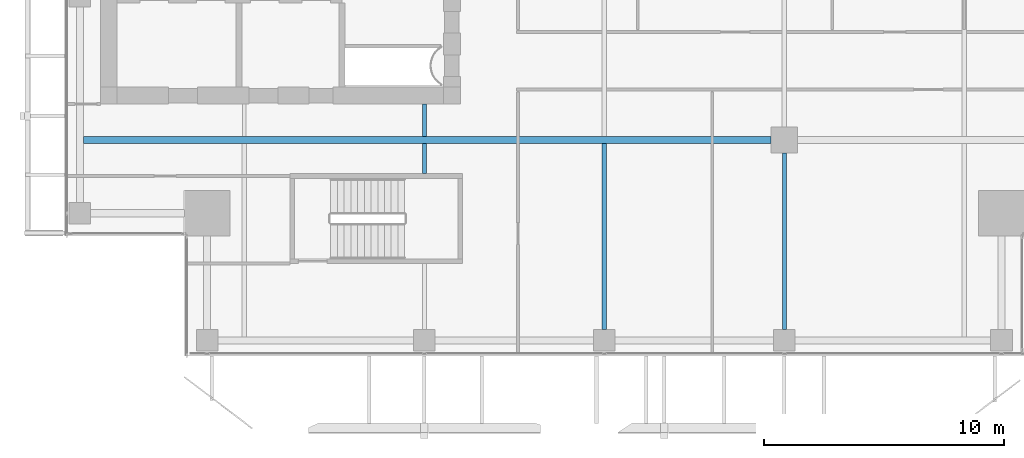
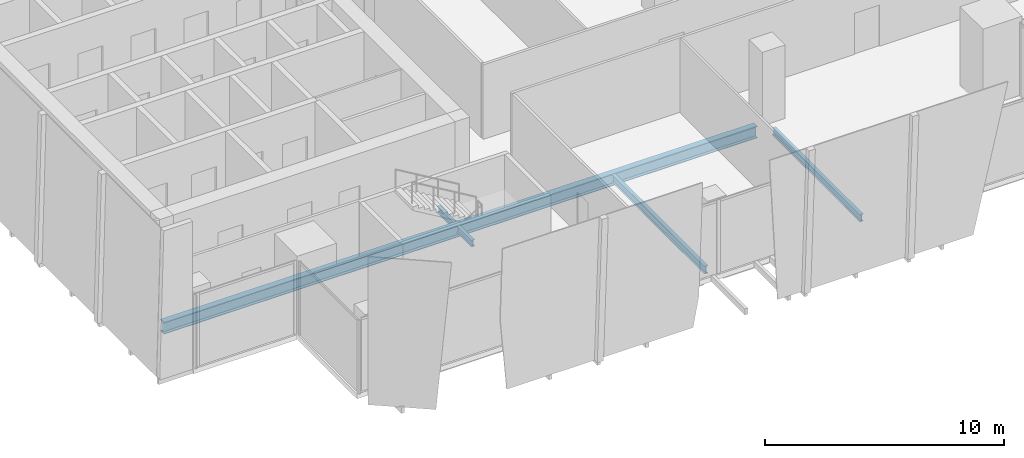
# One storey, part 5 of 35: 5 beams.
"""IFC4 building model written with IfcOpenShell, lengths in metres."""

from ifc_helpers import new_model, si_unit, direction, frame, origin, origin_2d, place, context, subcontext, project, spatial, i_section, extrude, source, transform, mapped, material, material_profile, profile_set, type_object, element, save


model = new_model("IFC4")

# Units and contexts
model_context = context("Model", 3, precision=1e-05, world=origin(), true_north=direction((0.0, 1.0)))
body_context = subcontext(model_context, "Body", "Model", "MODEL_VIEW")
ifc_project = project(units=[si_unit("LENGTHUNIT", "METRE"), si_unit("AREAUNIT", "SQUARE_METRE"), si_unit("VOLUMEUNIT", "CUBIC_METRE"), si_unit("PLANEANGLEUNIT", "RADIAN"), si_unit("MASSUNIT", "GRAM", prefix="KILO")], contexts=[model_context])

# Site, building, storey
site_placement = place(None, origin())
site = spatial("IfcSite", under=ifc_project, at=site_placement, CompositionType="ELEMENT")
building_placement = place(site_placement, origin())
building = spatial("IfcBuilding", under=site, at=building_placement, Name="Khomas Fold Tower", CompositionType="ELEMENT")
storey_placement = place(building_placement, frame((0.0, 0.0, 258.199951171875)))
storey = spatial("IfcBuildingStorey", under=building, at=storey_placement, Name="L58", CompositionType="ELEMENT", Elevation=258.199951171875)

# Beams
ifc_material_1 = material(Name="Steel S355", Category="steel")
ifc_material_profile_1 = material_profile(ifc_material_1, i_section(OverallWidth=0.159912109375, OverallDepth=0.330078125, WebThickness=0.007568359375, FlangeThickness=0.011474609375, at=origin_2d()), Name="IPE 330")
ifc_profile_set_1 = profile_set([ifc_material_profile_1], Name="Steel S355")
beam_type_1 = type_object("IfcBeamType", Name="IPE 330 beam JB1", PredefinedType="BEAM", material=ifc_profile_set_1)
shared_shape_1 = source(origin(), body_context, "Body", "SweptSolid", [
    extrude(i_section(OverallWidth=0.159912109375, OverallDepth=0.330078125, WebThickness=0.007568359375, FlangeThickness=0.011474609375, at=origin_2d()), origin(), (0.0, 0.0, 1.0), 1.25),
])
beam_1_placement = place(storey_placement, frame((19.5, 12.10009765625, -0.4150390625), z_axis=(0.0, 1.0, 0.0), x_axis=(-1.0, 0.0, 0.0)))
element("IfcBeam", 1, at=beam_1_placement, inside=storey, type_object=beam_type_1, Name="JB1", PredefinedType="BEAM", context=body_context, shape_type="MappedRepresentation", body=[
    mapped(shared_shape_1, transform((0.0, 0.0, 0.0))),
])
shared_shape_2 = source(origin(), body_context, "Body", "SweptSolid", [
    extrude(i_section(OverallWidth=0.159912109375, OverallDepth=0.330078125, WebThickness=0.007568359375, FlangeThickness=0.011474609375, at=origin_2d()), origin(), (0.0, 0.0, 1.0), 1.35009765625),
])
beam_2_placement = place(storey_placement, frame((19.5, 13.64990234375, -0.4150390625), z_axis=(0.0, 1.0, 0.0), x_axis=(-1.0, 0.0, 0.0)))
element("IfcBeam", 2, at=beam_2_placement, inside=storey, type_object=beam_type_1, Name="JB1", PredefinedType="BEAM", context=body_context, shape_type="MappedRepresentation", body=[
    mapped(shared_shape_2, transform((0.0, 0.0, 0.0))),
])
ifc_material_2 = material(Name="Steel S355", Category="steel")
ifc_material_profile_2 = material_profile(ifc_material_2, i_section(OverallWidth=0.300048828125, OverallDepth=0.60009765625, WebThickness=0.015380859375, FlangeThickness=0.030029296875, at=origin_2d()), Name="HE 600 B")
ifc_profile_set_2 = profile_set([ifc_material_profile_2], Name="Steel S355")
beam_type_2 = type_object("IfcBeamType", Name="HE 600 B beam GB5", PredefinedType="BEAM", material=ifc_profile_set_2)
shared_shape_3 = source(origin(), body_context, "Body", "SweptSolid", [
    extrude(i_section(OverallWidth=0.300048828125, OverallDepth=0.60009765625, WebThickness=0.015380859375, FlangeThickness=0.030029296875, at=origin_2d()), origin(), (0.0, 0.0, 1.0), 28.64990234375),
])
beam_3_placement = place(storey_placement, frame((5.300048828125, 13.5, -0.550048828125), z_axis=(1.0, 0.0, 0.0), x_axis=(0.0, 1.0, 0.0)))
element("IfcBeam", 3, at=beam_3_placement, inside=storey, type_object=beam_type_2, Name="GB5", PredefinedType="BEAM", context=body_context, shape_type="MappedRepresentation", body=[
    mapped(shared_shape_3, transform((0.0, 0.0, 0.0))),
])
ifc_material_3 = material(Name="Steel S355", Category="steel")
ifc_material_profile_3 = material_profile(ifc_material_3, i_section(OverallWidth=0.179931640625, OverallDepth=0.39990234375, WebThickness=0.008544921875, FlangeThickness=0.013427734375, at=origin_2d()), Name="IPE 400")
ifc_profile_set_3 = profile_set([ifc_material_profile_3], Name="Steel S355")
beam_type_3 = type_object("IfcBeamType", Name="IPE 400 beam JB3", PredefinedType="BEAM", material=ifc_profile_set_3)
shared_shape_4 = source(origin(), body_context, "Body", "SweptSolid", [
    extrude(i_section(OverallWidth=0.179931640625, OverallDepth=0.39990234375, WebThickness=0.008544921875, FlangeThickness=0.013427734375, at=origin_2d()), origin(), (0.0, 0.0, 1.0), 7.75),
])
beam_4_placement = place(storey_placement, frame((27.0, 5.60009765625, -0.449951171875), z_axis=(0.0, 1.0, 0.0), x_axis=(-1.0, 0.0, 0.0)))
element("IfcBeam", 4, at=beam_4_placement, inside=storey, type_object=beam_type_3, Name="JB3", PredefinedType="BEAM", context=body_context, shape_type="MappedRepresentation", body=[
    mapped(shared_shape_4, transform((0.0, 0.0, 0.0))),
])
ifc_material_4 = material(Name="Steel S355", Category="steel")
ifc_material_profile_4 = material_profile(ifc_material_4, i_section(OverallWidth=0.169921875, OverallDepth=0.360107421875, WebThickness=0.008056640625, FlangeThickness=0.0126953125, at=origin_2d()), Name="IPE 360")
ifc_profile_set_4 = profile_set([ifc_material_profile_4], Name="Steel S355")
beam_type_4 = type_object("IfcBeamType", Name="IPE 360 beam JB2", PredefinedType="BEAM", material=ifc_profile_set_4)
shared_shape_5 = source(origin(), body_context, "Body", "SweptSolid", [
    extrude(i_section(OverallWidth=0.169921875, OverallDepth=0.360107421875, WebThickness=0.008056640625, FlangeThickness=0.0126953125, at=origin_2d()), origin(), (0.0, 0.0, 1.0), 7.349853515625),
])
beam_5_placement = place(storey_placement, frame((34.5, 5.60009765625, -0.429931640625), z_axis=(0.0, 1.0, 0.0), x_axis=(-1.0, 0.0, 0.0)))
element("IfcBeam", 5, at=beam_5_placement, inside=storey, type_object=beam_type_4, Name="JB2", PredefinedType="BEAM", context=body_context, shape_type="MappedRepresentation", body=[
    mapped(shared_shape_5, transform((0.0, 0.0, 0.0))),
])

save(model, "model.ifc")
